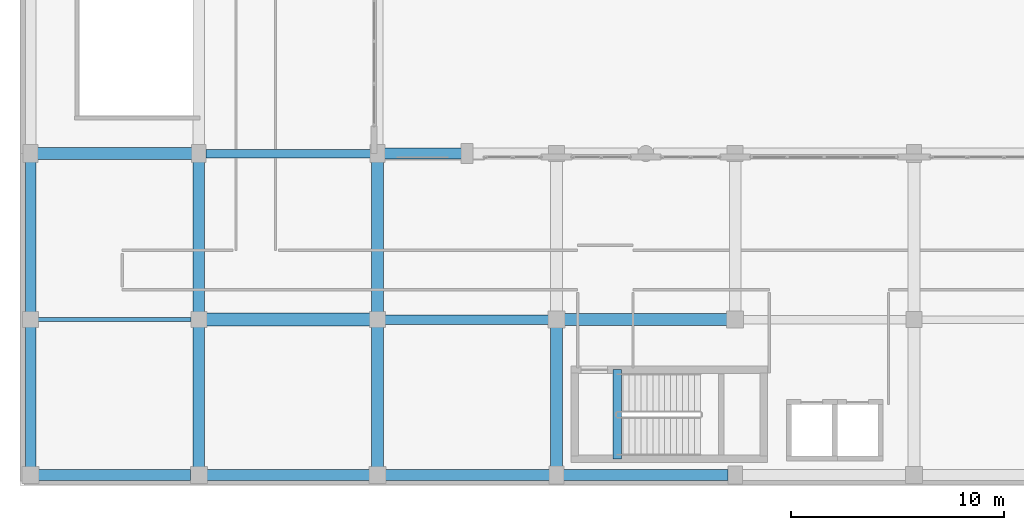
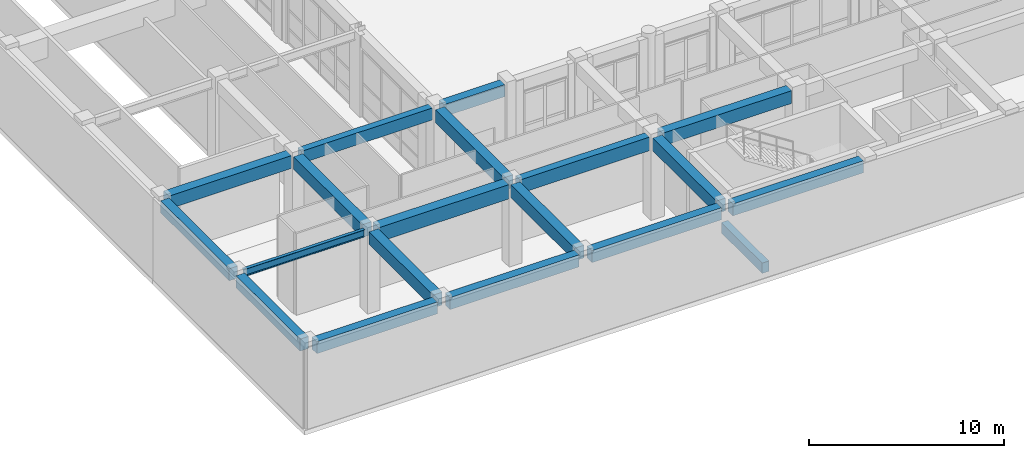
# One storey, part 15 of 148: 19 beams.
"""IFC4 building model written with IfcOpenShell, lengths in metres."""

from ifc_helpers import new_model, si_unit, direction, frame, origin, origin_2d, place, context, subcontext, project, spatial, rectangle, i_section, extrude, material, material_profile, profile_set, type_object, element, save


model = new_model("IFC4")

# Units and contexts
model_context = context("Model", 3, precision=1e-05, world=origin(), true_north=direction((0.0, 1.0)))
body_context = subcontext(model_context, "Body", "Model", "MODEL_VIEW")
ifc_project = project(units=[si_unit("LENGTHUNIT", "METRE"), si_unit("AREAUNIT", "SQUARE_METRE"), si_unit("VOLUMEUNIT", "CUBIC_METRE"), si_unit("PLANEANGLEUNIT", "RADIAN"), si_unit("MASSUNIT", "GRAM", prefix="KILO")], contexts=[model_context])

# Site, building, storey
site_placement = place(None, origin())
site = spatial("IfcSite", under=ifc_project, at=site_placement, CompositionType="ELEMENT")
building_placement = place(site_placement, origin())
building = spatial("IfcBuilding", under=site, at=building_placement, Name="Quendrovan Civic Courthouse", CompositionType="ELEMENT")
storey_placement = place(building_placement, origin())
storey = spatial("IfcBuildingStorey", under=building, at=storey_placement, Name="L01", CompositionType="ELEMENT", Elevation=0.0)

# Beams
ifc_material_1 = material(Name="Concrete C40/50", Category="concrete")
ifc_material_profile_1 = material_profile(ifc_material_1, rectangle(XDim=0.39990234375, YDim=0.64990234375, at=origin_2d()), Name="RC-BM-400x650")
ifc_profile_set_1 = profile_set([ifc_material_profile_1], Name="Concrete C40/50")
beam_type_1 = type_object("IfcBeamType", Name="BM-RC650", PredefinedType="JOIST", material=ifc_profile_set_1)
beam_1_placement = place(storey_placement, frame((28.050048828125, 1.25, -0.324951171875), z_axis=(0.0, 1.0, 0.0), x_axis=(-1.0, 0.0, 0.0)))
element("IfcBeam", 1, at=beam_1_placement, inside=storey, type_object=beam_type_1, Name="L01 Stair ST5 Landing Trimmer Beam", PredefinedType="JOIST", context=body_context, shape_type="SweptSolid", body=[
    extrude(rectangle(XDim=0.39990234375, YDim=0.64990234375, at=origin_2d()), origin(), (0.0, 0.0, 1.0), 4.199951171875),
])
ifc_material_profile_2 = material_profile(ifc_material_1, rectangle(XDim=0.5, YDim=0.75, at=origin_2d()), Name="RC-BM-500x750")
ifc_profile_set_2 = profile_set([ifc_material_profile_2], Name="Concrete C40/50")
beam_type_2 = type_object("IfcBeamType", Name="BM-RC750", PredefinedType="SPANDREL", material=ifc_profile_set_2)
beam_2_placement = place(storey_placement, frame((0.8798828125, 0.5, 4.7451171875), z_axis=(1.0, 0.0, 0.0), x_axis=(0.0, 1.0, 0.0)))
element("IfcBeam", 2, at=beam_2_placement, inside=storey, type_object=beam_type_2, Name="L01 Girder X0237", PredefinedType="SPANDREL", context=body_context, shape_type="SweptSolid", body=[
    extrude(rectangle(XDim=0.5, YDim=0.75, at=origin_2d()), origin(), (0.0, 0.0, 1.0), 7.14013671875),
])
beam_3_placement = place(storey_placement, frame((8.780029296875, 0.5, 4.7451171875), z_axis=(1.0, 0.0, 0.0), x_axis=(0.0, 1.0, 0.0)))
element("IfcBeam", 3, at=beam_3_placement, inside=storey, type_object=beam_type_2, Name="L01 Girder X0238", PredefinedType="SPANDREL", context=body_context, shape_type="SweptSolid", body=[
    extrude(rectangle(XDim=0.5, YDim=0.75, at=origin_2d()), origin(), (0.0, 0.0, 1.0), 7.639892578125),
])
beam_4_placement = place(storey_placement, frame((17.179931640625, 0.5, 4.7451171875), z_axis=(1.0, 0.0, 0.0), x_axis=(0.0, 1.0, 0.0)))
element("IfcBeam", 4, at=beam_4_placement, inside=storey, type_object=beam_type_2, Name="L01 Girder X0239", PredefinedType="SPANDREL", context=body_context, shape_type="SweptSolid", body=[
    extrude(rectangle(XDim=0.5, YDim=0.75, at=origin_2d()), origin(), (0.0, 0.0, 1.0), 7.690185546875),
])
beam_5_placement = place(storey_placement, frame((25.530029296875, 0.5, 4.7451171875), z_axis=(1.0, 0.0, 0.0), x_axis=(0.0, 1.0, 0.0)))
element("IfcBeam", 5, at=beam_5_placement, inside=storey, type_object=beam_type_2, Name="L01 Girder X0240", PredefinedType="SPANDREL", context=body_context, shape_type="SweptSolid", body=[
    extrude(rectangle(XDim=0.5, YDim=0.75, at=origin_2d()), origin(), (0.0, 0.0, 1.0), 7.739990234375),
])
beam_6_placement = place(storey_placement, frame((17.1298828125, 15.60009765625, 4.7451171875), z_axis=(1.0, 0.0, 0.0), x_axis=(0.0, 1.0, 0.0)))
element("IfcBeam", 6, at=beam_6_placement, inside=storey, type_object=beam_type_2, Name="L01 Girder X0265", PredefinedType="SPANDREL", context=body_context, shape_type="SweptSolid", body=[
    extrude(rectangle(XDim=0.5, YDim=0.75, at=origin_2d()), origin(), (0.0, 0.0, 1.0), 3.615234375),
])
beam_7_placement = place(storey_placement, frame((0.5, 0.8798828125, 4.7451171875), z_axis=(0.0, 1.0, 0.0), x_axis=(-1.0, 0.0, 0.0)))
element("IfcBeam", 7, at=beam_7_placement, inside=storey, type_object=beam_type_2, Name="L01 Girder Y0370", PredefinedType="SPANDREL", context=body_context, shape_type="SweptSolid", body=[
    extrude(rectangle(XDim=0.5, YDim=0.75, at=origin_2d()), origin(), (0.0, 0.0, 1.0), 6.565185546875),
])
beam_8_placement = place(storey_placement, frame((0.5, 8.155029296875, 4.7451171875), z_axis=(0.0, 1.0, 0.0), x_axis=(-1.0, 0.0, 0.0)))
element("IfcBeam", 8, at=beam_8_placement, inside=storey, type_object=beam_type_2, Name="L01 Girder Y0371", PredefinedType="SPANDREL", context=body_context, shape_type="SweptSolid", body=[
    extrude(rectangle(XDim=0.5, YDim=0.75, at=origin_2d()), origin(), (0.0, 0.0, 1.0), 7.0400390625),
])
ifc_material_profile_3 = material_profile(ifc_material_1, rectangle(XDim=0.39990234375, YDim=0.75, at=origin_2d()), Name="RC-BM-400x750")
ifc_profile_set_3 = profile_set([ifc_material_profile_3], Name="Concrete C40/50")
beam_type_3 = type_object("IfcBeamType", Name="BM-RC750B", PredefinedType="BEAM", material=ifc_profile_set_3)
beam_9_placement = place(storey_placement, frame((8.72998046875, 15.60009765625, 4.7451171875), z_axis=(1.0, 0.0, 0.0), x_axis=(0.0, 1.0, 0.0)))
element("IfcBeam", 9, at=beam_9_placement, inside=storey, type_object=beam_type_3, Name="L01 Girder X0264", PredefinedType="BEAM", context=body_context, shape_type="SweptSolid", body=[
    extrude(rectangle(XDim=0.39990234375, YDim=0.75, at=origin_2d()), origin(), (0.0, 0.0, 1.0), 7.739990234375),
])
ifc_material_profile_4 = material_profile(ifc_material_1, rectangle(XDim=0.550048828125, YDim=0.800048828125, at=origin_2d()), Name="RC-BM-550x800")
ifc_profile_set_4 = profile_set([ifc_material_profile_4], Name="Concrete C40/50")
beam_type_4 = type_object("IfcBeamType", Name="BM-RC800", PredefinedType="BEAM", material=ifc_profile_set_4)
beam_10_placement = place(storey_placement, frame((25.580078125, 7.800048828125, 4.719970703125), z_axis=(1.0, 0.0, 0.0), x_axis=(0.0, 1.0, 0.0)))
element("IfcBeam", 10, at=beam_10_placement, inside=storey, type_object=beam_type_4, Name="L01 Girder X0253", PredefinedType="BEAM", context=body_context, shape_type="SweptSolid", body=[
    extrude(rectangle(XDim=0.550048828125, YDim=0.800048828125, at=origin_2d()), origin(), (0.0, 0.0, 1.0), 7.639892578125),
])
beam_11_placement = place(storey_placement, frame((0.830078125, 15.60009765625, 4.719970703125), z_axis=(1.0, 0.0, 0.0), x_axis=(0.0, 1.0, 0.0)))
element("IfcBeam", 11, at=beam_11_placement, inside=storey, type_object=beam_type_4, Name="L01 Girder X0263", PredefinedType="BEAM", context=body_context, shape_type="SweptSolid", body=[
    extrude(rectangle(XDim=0.550048828125, YDim=0.800048828125, at=origin_2d()), origin(), (0.0, 0.0, 1.0), 7.239990234375),
])
beam_12_placement = place(storey_placement, frame((8.39990234375, 0.8798828125, 4.719970703125), z_axis=(0.0, 1.0, 0.0), x_axis=(-1.0, 0.0, 0.0)))
element("IfcBeam", 12, at=beam_12_placement, inside=storey, type_object=beam_type_4, Name="L01 Girder Y0383", PredefinedType="BEAM", context=body_context, shape_type="SweptSolid", body=[
    extrude(rectangle(XDim=0.550048828125, YDim=0.800048828125, at=origin_2d()), origin(), (0.0, 0.0, 1.0), 6.565185546875),
])
beam_13_placement = place(storey_placement, frame((8.39990234375, 8.155029296875, 4.719970703125), z_axis=(0.0, 1.0, 0.0), x_axis=(-1.0, 0.0, 0.0)))
element("IfcBeam", 13, at=beam_13_placement, inside=storey, type_object=beam_type_4, Name="L01 Girder Y0384", PredefinedType="BEAM", context=body_context, shape_type="SweptSolid", body=[
    extrude(rectangle(XDim=0.550048828125, YDim=0.800048828125, at=origin_2d()), origin(), (0.0, 0.0, 1.0), 7.0400390625),
])
beam_14_placement = place(storey_placement, frame((16.800048828125, 0.8798828125, 4.719970703125), z_axis=(0.0, 1.0, 0.0), x_axis=(-1.0, 0.0, 0.0)))
element("IfcBeam", 14, at=beam_14_placement, inside=storey, type_object=beam_type_4, Name="L01 Girder Y0387", PredefinedType="BEAM", context=body_context, shape_type="SweptSolid", body=[
    extrude(rectangle(XDim=0.550048828125, YDim=0.800048828125, at=origin_2d()), origin(), (0.0, 0.0, 1.0), 6.565185546875),
])
beam_15_placement = place(storey_placement, frame((16.800048828125, 8.155029296875, 4.719970703125), z_axis=(0.0, 1.0, 0.0), x_axis=(-1.0, 0.0, 0.0)))
element("IfcBeam", 15, at=beam_15_placement, inside=storey, type_object=beam_type_4, Name="L01 Girder Y0388", PredefinedType="BEAM", context=body_context, shape_type="SweptSolid", body=[
    extrude(rectangle(XDim=0.550048828125, YDim=0.800048828125, at=origin_2d()), origin(), (0.0, 0.0, 1.0), 7.0400390625),
])
beam_16_placement = place(storey_placement, frame((25.199951171875, 0.905029296875, 4.719970703125), z_axis=(0.0, 1.0, 0.0), x_axis=(-1.0, 0.0, 0.0)))
element("IfcBeam", 16, at=beam_16_placement, inside=storey, type_object=beam_type_4, Name="L01 Girder Y0399", PredefinedType="BEAM", context=body_context, shape_type="SweptSolid", body=[
    extrude(rectangle(XDim=0.550048828125, YDim=0.800048828125, at=origin_2d()), origin(), (0.0, 0.0, 1.0), 6.514892578125),
])
ifc_material_2 = material(Name="Concrete C45/55", Category="concrete")
ifc_material_profile_5 = material_profile(ifc_material_2, rectangle(XDim=0.449951171875, YDim=0.85009765625, at=origin_2d()), Name="RC-BM-450x850")
ifc_profile_set_5 = profile_set([ifc_material_profile_5], Name="Concrete C45/55")
beam_type_5 = type_object("IfcBeamType", Name="BM-RC850", PredefinedType="BEAM", material=ifc_profile_set_5)
beam_17_placement = place(storey_placement, frame((17.155029296875, 7.800048828125, 4.695068359375), z_axis=(1.0, 0.0, 0.0), x_axis=(0.0, 1.0, 0.0)))
element("IfcBeam", 17, at=beam_17_placement, inside=storey, type_object=beam_type_5, Name="L01 Girder X0252", PredefinedType="BEAM", context=body_context, shape_type="SweptSolid", body=[
    extrude(rectangle(XDim=0.449951171875, YDim=0.85009765625, at=origin_2d()), origin(), (0.0, 0.0, 1.0), 7.6650390625),
])
ifc_material_profile_6 = material_profile(ifc_material_1, rectangle(XDim=0.60009765625, YDim=0.89990234375, at=origin_2d()), Name="RC-BM-600x900")
ifc_profile_set_6 = profile_set([ifc_material_profile_6], Name="Concrete C40/50")
beam_type_6 = type_object("IfcBeamType", Name="BM-RC900", PredefinedType="BEAM", material=ifc_profile_set_6)
beam_18_placement = place(storey_placement, frame((8.7548828125, 7.800048828125, 4.669921875), z_axis=(1.0, 0.0, 0.0), x_axis=(0.0, 1.0, 0.0)))
element("IfcBeam", 18, at=beam_18_placement, inside=storey, type_object=beam_type_6, Name="L01 Girder X0251", PredefinedType="BEAM", context=body_context, shape_type="SweptSolid", body=[
    extrude(rectangle(XDim=0.60009765625, YDim=0.89990234375, at=origin_2d()), origin(), (0.0, 0.0, 1.0), 7.690185546875),
])
ifc_material_3 = material(Name="Steel ASTM A992 Grade 50", Category="steel")
ifc_material_profile_7 = material_profile(ifc_material_3, i_section(OverallWidth=0.18994140625, OverallDepth=0.45703125, WebThickness=0.009033203125, FlangeThickness=0.014404296875, at=origin_2d()), Name="W18X50")
ifc_profile_set_7 = profile_set([ifc_material_profile_7], Name="Steel ASTM A992 Grade 50")
beam_type_7 = type_object("IfcBeamType", Name="BM-STL-W18", PredefinedType="JOIST", material=ifc_profile_set_7)
beam_19_placement = place(storey_placement, frame((0.85498046875, 7.800048828125, 4.8916015625), z_axis=(1.0, 0.0, 0.0), x_axis=(0.0, 1.0, 0.0)))
element("IfcBeam", 19, at=beam_19_placement, inside=storey, type_object=beam_type_7, Name="L01 Girder X0250", PredefinedType="JOIST", context=body_context, shape_type="SweptSolid", body=[
    extrude(i_section(OverallWidth=0.18994140625, OverallDepth=0.45703125, WebThickness=0.009033203125, FlangeThickness=0.014404296875, at=origin_2d()), origin(), (0.0, 0.0, 1.0), 7.18994140625),
])

save(model, "model.ifc")
